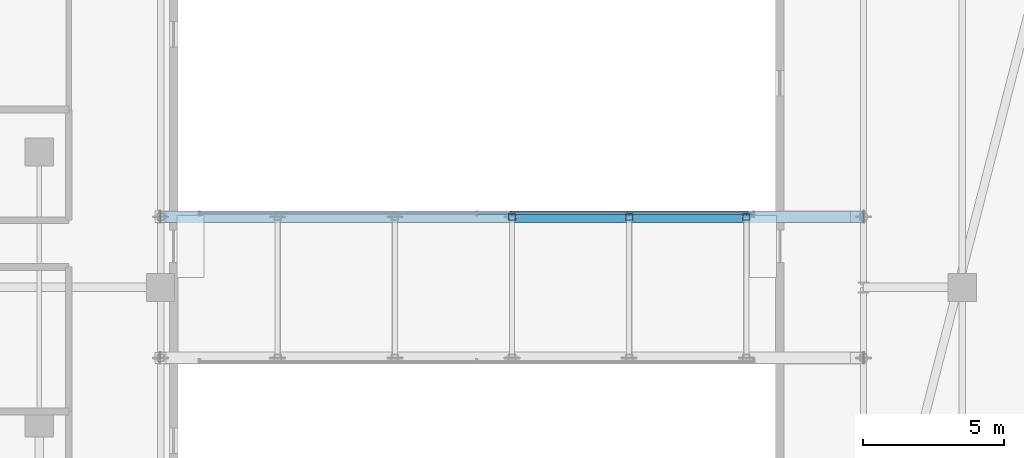
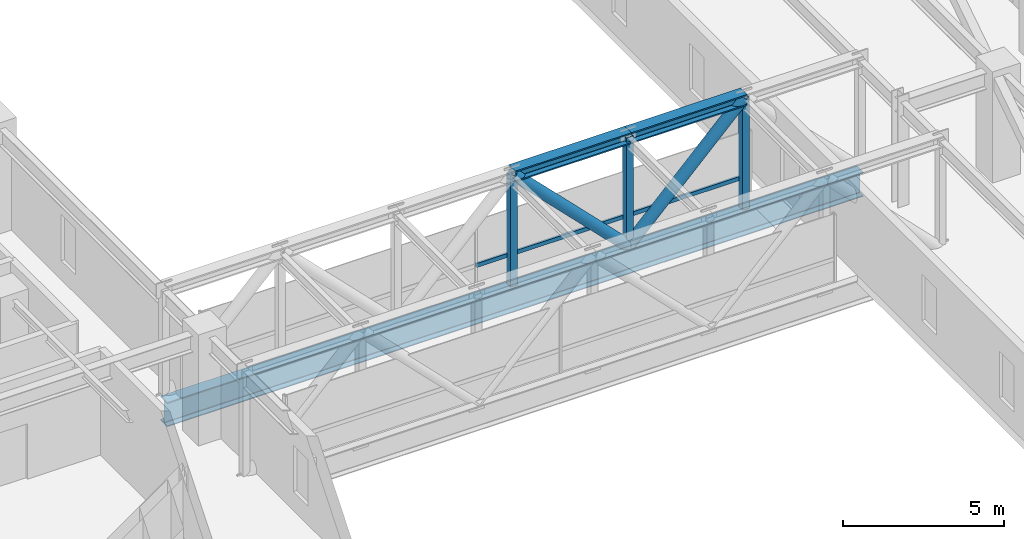
# One storey, part 11 of 42: 8 members, 1 beam, 1 element without a shape of its own.
"""IFC4 building model written with IfcOpenShell, lengths in metres."""

import ifcopenshell
import ifcopenshell.guid

model = None  # the IFC model being written
_history = None  # IfcOwnerHistory: only IFC2X3 demands one
_inside = {}  # id of a spatial element -> (the spatial element, [elements in it])
_under = {}  # id of a project, library or spatial element -> (it, [spatial elements below it])
_declared = {}  # id of a project -> (the project, [libraries it declares])
_typed = {}  # id of a type object -> (the type object, [elements of that type])
_made_of = {}  # id of a material, layer set ... -> (it, [elements and type objects made of it])


def new_model(schema):
    """Start an empty IFC model of exactly this schema.

    Asked for "IFC4X3", IfcOpenShell would pick the latest addendum, in which some entities
    have other attributes; the version numbers below select the first issue.
    IFC2X3 requires an IfcOwnerHistory on every rooted entity: one is made here for all.
    """
    global model, _history
    if schema == "IFC4X3":
        model = ifcopenshell.file(schema_version=(4, 3, 0, 0))
    else:
        model = ifcopenshell.file(schema=schema)
    _inside.clear()
    _under.clear()
    _declared.clear()
    _typed.clear()
    _made_of.clear()
    _history = None
    if model.schema == "IFC2X3":
        org = make("IfcOrganization", Name="unknown")
        user = make(
            "IfcPersonAndOrganization",
            ThePerson=make("IfcPerson", FamilyName="unknown"),
            TheOrganization=org,
        )
        app = make(
            "IfcApplication",
            ApplicationDeveloper=org,
            Version="unknown",
            ApplicationFullName="unknown",
            ApplicationIdentifier="unknown",
        )
        _history = make(
            "IfcOwnerHistory",
            OwningUser=user,
            OwningApplication=app,
            ChangeAction="ADDED",
            CreationDate=0,
        )
    return model


def make(cls, **values):
    """One entity of the class cls with the attributes given. An attribute that is None is left unset."""
    return model.create_entity(
        cls, **{name: value for name, value in values.items() if value is not None}
    )


def rooted(cls, **values):
    """An entity with a GlobalId (a new one), such as an element, a storey or a relation."""
    return make(cls, GlobalId=ifcopenshell.guid.new(), OwnerHistory=_history, **values)


def si_unit(unit_type, name, prefix=None):
    """IfcSIUnit, for example si_unit("LENGTHUNIT", "METRE", prefix="MILLI")."""
    return make("IfcSIUnit", UnitType=unit_type, Prefix=prefix, Name=name)


def assignment(units):
    """IfcUnitAssignment: the units of a project."""
    return None if units is None else make("IfcUnitAssignment", Units=units)


def point(xyz):
    """IfcCartesianPoint."""
    return None if xyz is None else make("IfcCartesianPoint", Coordinates=xyz)


def direction(xyz):
    """IfcDirection."""
    return None if xyz is None else make("IfcDirection", DirectionRatios=xyz)


def frame(location, z_axis=None, x_axis=None):
    """IfcAxis2Placement3D, a coordinate frame: its origin and axes. An axis left out is left unset."""
    return make(
        "IfcAxis2Placement3D",
        Location=point(location),
        Axis=direction(z_axis),
        RefDirection=direction(x_axis),
    )


def frame_2d(location, x_axis=None):
    """IfcAxis2Placement2D, a coordinate frame in the plane: its origin and x axis."""
    return make(
        "IfcAxis2Placement2D", Location=point(location), RefDirection=direction(x_axis)
    )


def origin():
    """The frame at (0, 0, 0) with its axes left unset."""
    return frame((0.0, 0.0, 0.0))


def origin_2d():
    """The frame at (0, 0) in the plane with its x axis left unset."""
    return frame_2d((0.0, 0.0))


def place(relative_to, where):
    """IfcLocalPlacement: puts the frame where relative to a parent placement (None: the world)."""
    return make(
        "IfcLocalPlacement", PlacementRelTo=relative_to, RelativePlacement=where
    )


def context(
    kind, dimensions, precision=None, world=None, true_north=None, identifier=None
):
    """IfcGeometricRepresentationContext, for example the 3D "Model" context."""
    return make(
        "IfcGeometricRepresentationContext",
        ContextIdentifier=identifier,
        ContextType=kind,
        CoordinateSpaceDimension=dimensions,
        Precision=precision,
        WorldCoordinateSystem=world,
        TrueNorth=true_north,
    )


def subcontext(parent, identifier, kind, view, scale=None):
    """IfcGeometricRepresentationSubContext, for example "Body" below "Model"."""
    return make(
        "IfcGeometricRepresentationSubContext",
        ContextIdentifier=identifier,
        ContextType=kind,
        ParentContext=parent,
        TargetScale=scale,
        TargetView=view,
    )


def project(units=None, contexts=None):
    """IfcProject with its units and contexts."""
    return rooted(
        "IfcProject",
        Name="project",
        RepresentationContexts=contexts,
        UnitsInContext=assignment(units),
    )


def spatial(cls, under=None, at=None, **own):
    """A site, building, storey or space (cls), placed at a placement, below another one or the project."""
    s = rooted(cls, ObjectPlacement=at, **own)
    if under is not None:
        _under.setdefault(under.id(), (under, []))[1].append(s)
    return s


def profile(cls, at=None, kind="AREA", **sizes):
    """A parametric profile (cls). Its sizes go by their IFC names, for example OverallWidth=200.0."""
    return make(cls, ProfileType=kind, Position=at, **sizes)


def hollow_rectangle(**sizes):
    """IfcRectangleHollowProfileDef."""
    return profile("IfcRectangleHollowProfileDef", **sizes)


def hollow_circle(**sizes):
    """IfcCircleHollowProfileDef."""
    return profile("IfcCircleHollowProfileDef", **sizes)


def i_section(**sizes):
    """IfcIShapeProfileDef."""
    return profile("IfcIShapeProfileDef", **sizes)


def extrude(swept, where, along, depth):
    """IfcExtrudedAreaSolid: the profile swept, set in the frame where, extruded along a direction by depth."""
    return make(
        "IfcExtrudedAreaSolid",
        SweptArea=swept,
        Position=where,
        ExtrudedDirection=direction(along),
        Depth=depth,
    )


def shape(context_of_items, identifier, shape_type, items):
    """IfcShapeRepresentation: the items that make up one representation, for example the "Body"."""
    return make(
        "IfcShapeRepresentation",
        ContextOfItems=context_of_items,
        RepresentationIdentifier=identifier,
        RepresentationType=shape_type,
        Items=items,
    )


def material(Name=None, Category=None):
    """IfcMaterial."""
    return make("IfcMaterial", Name=Name, Category=Category)


def material_profile(
    of_material, cross_section, Name=None, Category=None, Priority=None
):
    """IfcMaterialProfile: a cross section and its material."""
    return make(
        "IfcMaterialProfile",
        Name=Name,
        Material=of_material,
        Profile=cross_section,
        Priority=Priority,
        Category=Category,
    )


def profile_set(profiles, Name=None, composite=None):
    """IfcMaterialProfileSet."""
    return make(
        "IfcMaterialProfileSet",
        Name=Name,
        MaterialProfiles=profiles,
        CompositeProfile=composite,
    )


def made_of(thing, what):
    """Note that an element or type object is made of a material, layer set ...; save() writes the relation."""
    if what is not None:
        _made_of.setdefault(what.id(), (what, []))[1].append(thing)
    return thing


def type_object(cls, material=None, **own):
    """A type object (cls), such as IfcWallType, which elements share."""
    return made_of(rooted(cls, **own), material)


def element(
    cls,
    number,
    at=None,
    inside=None,
    cuts=None,
    type_object=None,
    material=None,
    context=None,
    identifier="Body",
    shape_type=None,
    held_by="IfcProductDefinitionShape",
    body=None,
    shapes=None,
    **own,
):
    """One element of the class cls, such as IfcWall. Its Tag is "e" and its number.

    at: its placement. inside: the storey or other place that contains it. cuts: it is an
    opening in that element (IfcRelVoidsElement). A single representation is given by context,
    identifier, shape_type and body (its items); several are given by shapes. held_by: the class
    of the entity that holds the representations. save() writes the other relations.
    """
    e = rooted(cls, Tag="e%d" % number, ObjectPlacement=at, **own)
    if body is not None:
        shapes = [shape(context, identifier, shape_type, body)]
    if shapes is not None:
        e.Representation = make(held_by, Representations=shapes)
    if inside is not None:
        _inside.setdefault(inside.id(), (inside, []))[1].append(e)
    if cuts is not None:
        rooted(
            "IfcRelVoidsElement", RelatingBuildingElement=cuts, RelatedOpeningElement=e
        )
    if type_object is not None:
        _typed.setdefault(type_object.id(), (type_object, []))[1].append(e)
    return made_of(e, material)


def aggregate(whole, parts):
    """IfcRelAggregates: a whole, such as a stair, and the parts it consists of."""
    return rooted("IfcRelAggregates", RelatingObject=whole, RelatedObjects=parts)


def save(model, path):
    """Write the relations noted so far, then the file.

    IfcRelAggregates (storeys below a building ...), IfcRelContainedInSpatialStructure (elements
    in a storey), IfcRelDefinesByType, IfcRelAssociatesMaterial and IfcRelDeclares: one each for
    every whole, place, type object, material and project.
    """
    for whole, parts in _under.values():
        aggregate(whole, parts)
    for where, things in _inside.values():
        rooted(
            "IfcRelContainedInSpatialStructure",
            RelatedElements=things,
            RelatingStructure=where,
        )
    for kind, things in _typed.values():
        rooted("IfcRelDefinesByType", RelatedObjects=things, RelatingType=kind)
    for what, things in _made_of.values():
        rooted("IfcRelAssociatesMaterial", RelatedObjects=things, RelatingMaterial=what)
    for by, libraries in _declared.values():
        rooted("IfcRelDeclares", RelatingContext=by, RelatedDefinitions=libraries)
    model.write(path)


model = new_model("IFC4")

# Units and contexts
model_context = context("Model", 3, precision=1e-05, world=origin(), true_north=direction((0.0, 1.0)))
body_context = subcontext(model_context, "Body", "Model", "MODEL_VIEW")
ifc_project = project(units=[si_unit("LENGTHUNIT", "METRE"), si_unit("AREAUNIT", "SQUARE_METRE"), si_unit("VOLUMEUNIT", "CUBIC_METRE"), si_unit("PLANEANGLEUNIT", "RADIAN"), si_unit("MASSUNIT", "GRAM", prefix="KILO")], contexts=[model_context])

# Site, building, storey
site_placement = place(None, origin())
site = spatial("IfcSite", under=ifc_project, at=site_placement, CompositionType="ELEMENT")
building_placement = place(site_placement, origin())
building = spatial("IfcBuilding", under=site, at=building_placement, Name="Thornwick Lancets Civic Towers", CompositionType="ELEMENT")
storey_placement = place(building_placement, frame((0.0, 0.0, 221.699951171875)))
storey = spatial("IfcBuildingStorey", under=building, at=storey_placement, Name="L59", CompositionType="ELEMENT", Elevation=221.699951171875)

# Beam
ifc_material_1 = material(Name="Steel S460M", Category="steel")
ifc_material_profile_1 = material_profile(ifc_material_1, i_section(OverallWidth=0.42041015625, OverallDepth=0.9208984375, WebThickness=0.021484375, FlangeThickness=0.03662109375, FilletRadius=0.024169921875, at=origin_2d()), Name="UKB 914x419x388")
ifc_profile_set_1 = profile_set([ifc_material_profile_1], Name="Steel S460M")
beam_type = type_object("IfcBeamType", Name="BM_TR_914_388", PredefinedType="BEAM", material=ifc_profile_set_1)
beam_placement = place(storey_placement, frame((42.800048828125, 29.5, -0.680419921875), z_axis=(1.0, 0.0, 0.0), x_axis=(0.0, 1.0, 0.0)))
element("IfcBeam", 1, at=beam_placement, inside=storey, type_object=beam_type, Name="BM-L59-SB-MAIN-2", PredefinedType="BEAM", context=body_context, shape_type="SweptSolid", body=[
    extrude(i_section(OverallWidth=0.42041015625, OverallDepth=0.9208984375, WebThickness=0.021484375, FlangeThickness=0.03662109375, FilletRadius=0.024169921875, at=origin_2d()), origin(), (0.0, 0.0, 1.0), 24.89990234375),
])

# Curtain wall, member
ifc_material_2 = material(Name="Skybridge acoustic laminated-glass curtain wall", Category="glass")
curtain_wall_type = type_object("IfcCurtainWallType", Name="CW_SYS_06", PredefinedType="NOTDEFINED", material=ifc_material_2)
curtain_wall_placement = place(storey_placement, origin())
curtain_wall = element("IfcCurtainWall", 2, at=curtain_wall_placement, inside=storey, type_object=curtain_wall_type, Name="L59 Curtain Wall CW-L59-SKYBRIDGE-N", PredefinedType="NOTDEFINED")
ifc_material_3 = material(Name="Thermally broken bronze aluminium S355", Category="steel")
ifc_material_profile_2 = material_profile(ifc_material_3, hollow_rectangle(XDim=0.074951171875, YDim=0.14990234375, WallThickness=0.0048828125, at=origin_2d()), Name="RHS 150x75x5")
ifc_profile_set_2 = profile_set([ifc_material_profile_2], Name="Thermally broken bronze aluminium S355")
member_type_1 = type_object("IfcMemberType", Name="CW_TRN_150", PredefinedType="USERDEFINED", material=ifc_profile_set_2)
member_1_placement = place(storey_placement, frame((63.800048828125, 29.6201171875, 0.85009765625), z_axis=(-1.0, 0.0, 0.0), x_axis=(0.0, -1.0, 0.0)))
member_1 = element("IfcMember", 3, at=member_1_placement, type_object=member_type_1, Name="CW-L59-SKYBRIDGE-N Transom 0", ObjectType="TRANSOM", PredefinedType="USERDEFINED", context=body_context, shape_type="SweptSolid", body=[
    extrude(hollow_rectangle(XDim=0.074951171875, YDim=0.14990234375, WallThickness=0.0048828125, at=origin_2d()), origin(), (0.0, 0.0, 1.0), 9.780029296875),
])
aggregate(curtain_wall, [member_1])

# Members
ifc_material_profile_3 = material_profile(ifc_material_1, i_section(OverallWidth=0.406982421875, OverallDepth=0.4189453125, WebThickness=0.030517578125, FlangeThickness=0.04931640625, FilletRadius=0.01513671875, at=origin_2d()), Name="UKC 356x406x393")
ifc_profile_set_3 = profile_set([ifc_material_profile_3], Name="Steel S460M")
member_type_2 = type_object("IfcMemberType", Name="MEM_BRG_CHORD_393", PredefinedType="CHORD", material=ifc_profile_set_3)
member_2_placement = place(storey_placement, frame((55.25, 29.5, 3.9599609375), z_axis=(1.0, 0.0, 0.0), x_axis=(0.0, 1.0, 0.0)))
element("IfcMember", 4, at=member_2_placement, inside=storey, type_object=member_type_2, Name="L59 Skybridge Top Chord 2-3", PredefinedType="CHORD", context=body_context, shape_type="SweptSolid", body=[
    extrude(i_section(OverallWidth=0.406982421875, OverallDepth=0.4189453125, WebThickness=0.030517578125, FlangeThickness=0.04931640625, FilletRadius=0.01513671875, at=origin_2d()), origin(), (0.0, 0.0, 1.0), 4.14990234375),
])
member_3_placement = place(storey_placement, frame((59.39990234375, 29.5, 3.9599609375), z_axis=(1.0, 0.0, 0.0), x_axis=(0.0, 1.0, 0.0)))
element("IfcMember", 5, at=member_3_placement, inside=storey, type_object=member_type_2, Name="L59 Skybridge Top Chord 2-4", PredefinedType="CHORD", context=body_context, shape_type="SweptSolid", body=[
    extrude(i_section(OverallWidth=0.406982421875, OverallDepth=0.4189453125, WebThickness=0.030517578125, FlangeThickness=0.04931640625, FilletRadius=0.01513671875, at=origin_2d()), origin(), (0.0, 0.0, 1.0), 4.150146484375),
])
ifc_material_profile_4 = material_profile(ifc_material_1, hollow_circle(Radius=0.203125, WallThickness=0.02001953125, at=origin_2d()), Name="CHS 406.4x20")
ifc_profile_set_4 = profile_set([ifc_material_profile_4], Name="Steel S460M")
member_type_3 = type_object("IfcMemberType", Name="MEM_BRG_WEB_CHS406", PredefinedType="BRACE", material=ifc_profile_set_4)
member_4_placement = place(storey_placement, frame((55.25, 29.5, 3.9599609375), z_axis=(0.704553062157, 0.0, -0.709651310578), x_axis=(0.0, 1.0, 0.0)))
element("IfcMember", 6, at=member_4_placement, inside=storey, type_object=member_type_3, Name="L59 Skybridge Truss Diagonal 2-3", PredefinedType="BRACE", context=body_context, shape_type="SweptSolid", body=[
    extrude(hollow_circle(Radius=0.203125, WallThickness=0.02001953125, at=origin_2d()), origin(), (0.0, 0.0, 1.0), 5.89013671875),
])
member_5_placement = place(storey_placement, frame((59.39990234375, 29.5, -0.219970703125), z_axis=(0.704573935254, 0.0, 0.709630586827), x_axis=(0.0, 1.0, 0.0)))
element("IfcMember", 7, at=member_5_placement, inside=storey, type_object=member_type_3, Name="L59 Skybridge Truss Diagonal 2-4", PredefinedType="BRACE", context=body_context, shape_type="SweptSolid", body=[
    extrude(hollow_circle(Radius=0.203125, WallThickness=0.02001953125, at=origin_2d()), origin(), (0.0, 0.0, 1.0), 5.890380859375),
])
ifc_material_profile_5 = material_profile(ifc_material_1, hollow_rectangle(XDim=0.25, YDim=0.25, WallThickness=0.01611328125, at=origin_2d()), Name="SHS 250x250x16")
ifc_profile_set_5 = profile_set([ifc_material_profile_5], Name="Steel S460M")
member_type_4 = type_object("IfcMemberType", Name="MEM_BRG_WEB_SHS250", PredefinedType="BRACE", material=ifc_profile_set_5)
for number, where, z_axis, x_axis, name in (
    (8, (55.25, 29.5, -0.219970703125), (0.0, 0.0, 1.0), (1.0, 0.0, 0.0), "L59 Skybridge Truss Post 2-3"),
    (9, (59.39990234375, 29.5, -0.219970703125), (0.0, 0.0, 1.0), (1.0, 0.0, 0.0), "L59 Skybridge Truss Post 2-4"),
    (10, (63.550048828125, 29.5, -0.219970703125), (0.0, 0.0, 1.0), (1.0, 0.0, 0.0), "L59 Skybridge Truss Post 2-5"),
):
    element("IfcMember", number, at=place(storey_placement, frame(where, z_axis=z_axis, x_axis=x_axis)), inside=storey, type_object=member_type_4, Name=name, PredefinedType="BRACE", context=body_context, shape_type="SweptSolid", body=[
        extrude(hollow_rectangle(XDim=0.25, YDim=0.25, WallThickness=0.01611328125, at=origin_2d()), origin(), (0.0, 0.0, 1.0), 4.179931640625),
    ])

save(model, "model.ifc")
